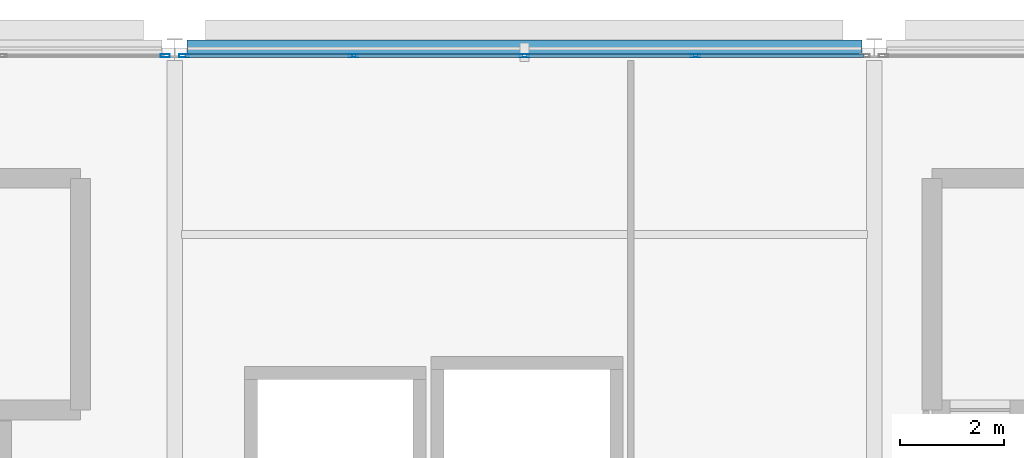
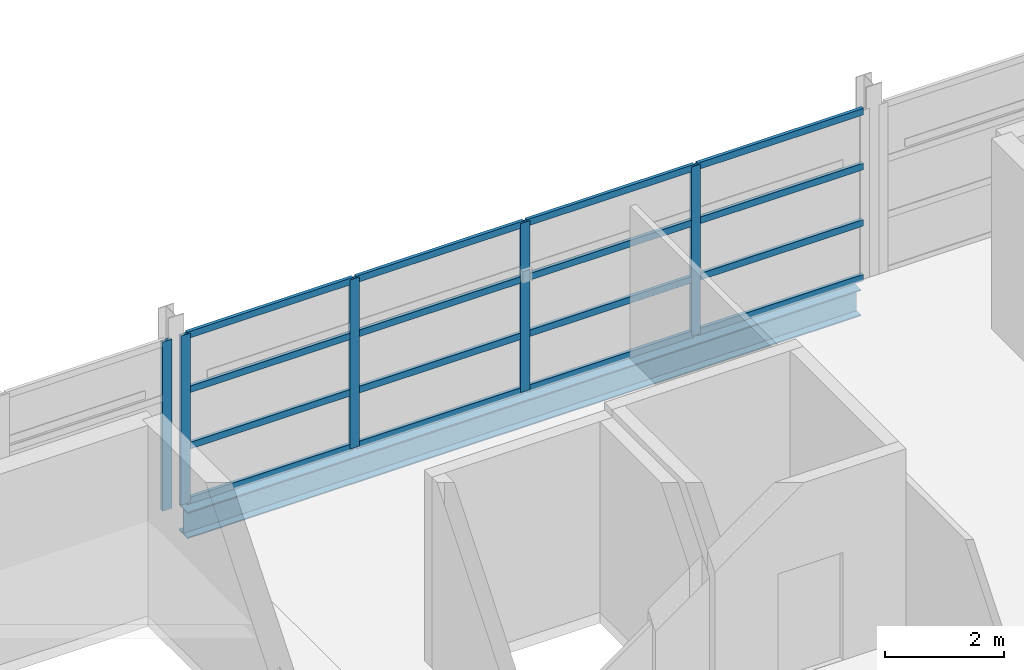
# One storey, part 22 of 33: 21 members, 1 beam, 2 elements without a shape of their own.
"""IFC4 building model written with IfcOpenShell, lengths in metres."""

from ifc_helpers import new_model, si_unit, direction, frame, origin, origin_2d, place, context, subcontext, project, spatial, hollow_rectangle, i_section, extrude, material, layer, layer_set, material_profile, profile_set, type_object, element, aggregate, save


model = new_model("IFC4")

# Units and contexts
model_context = context("Model", 3, precision=1e-05, world=origin(), true_north=direction((0.0, 1.0)))
body_context = subcontext(model_context, "Body", "Model", "MODEL_VIEW")
ifc_project = project(units=[si_unit("LENGTHUNIT", "METRE"), si_unit("AREAUNIT", "SQUARE_METRE"), si_unit("VOLUMEUNIT", "CUBIC_METRE"), si_unit("PLANEANGLEUNIT", "RADIAN"), si_unit("MASSUNIT", "GRAM", prefix="KILO")], contexts=[model_context])

# Site, building, storey
site_placement = place(None, origin())
site = spatial("IfcSite", under=ifc_project, at=site_placement, CompositionType="ELEMENT")
building_placement = place(site_placement, origin())
building = spatial("IfcBuilding", under=site, at=building_placement, Name="Tamarisk Ironworks Central Station", CompositionType="ELEMENT")
storey_placement = place(building_placement, frame((0.0, 0.0, 21.300048828125)))
storey = spatial("IfcBuildingStorey", under=building, at=storey_placement, Name="L04", CompositionType="ELEMENT", Elevation=21.300048828125)

# Beam
ifc_material_1 = material(Name="Structural steel S355J2", Category="steel")
ifc_material_profile_1 = material_profile(ifc_material_1, i_section(OverallWidth=0.300048828125, OverallDepth=0.5400390625, WebThickness=0.012451171875, FlangeThickness=0.02392578125, at=origin_2d()), Name="HEA 550")
ifc_profile_set_1 = profile_set([ifc_material_profile_1], Name="Structural steel S355J2")
beam_type = type_object("IfcBeamType", Name="BM-G04", PredefinedType="BEAM", material=ifc_profile_set_1)
beam_placement = place(storey_placement, frame((153.238037109375, 122.39990234375, -0.489990234375), z_axis=(1.0, 0.0, 0.0), x_axis=(0.0, 1.0, 0.0)))
element("IfcBeam", 1, at=beam_placement, inside=storey, type_object=beam_type, Name="L04 primary girder X-0728", PredefinedType="BEAM", context=body_context, shape_type="SweptSolid", body=[
    extrude(i_section(OverallWidth=0.300048828125, OverallDepth=0.5400390625, WebThickness=0.012451171875, FlangeThickness=0.02392578125, at=origin_2d()), origin(), (0.0, 0.0, 1.0), 13.02392578125),
])

# Curtain wall, member
ifc_material_2 = material(Name="Anodized aluminium alloy 6063-T6", Category="aluminium")
ifc_layer = layer(ifc_material_2, 0.179931640625)
ifc_layer_set = layer_set([ifc_layer], Name="Anodized aluminium alloy 6063-T6")
curtain_wall_type = type_object("IfcCurtainWallType", Name="CW-19", PredefinedType="USERDEFINED", material=ifc_layer_set)
curtain_wall_1_placement = place(storey_placement, origin())
curtain_wall_1 = element("IfcCurtainWall", 2, at=curtain_wall_1_placement, inside=storey, type_object=curtain_wall_type, Name="Operations L04 north facade curtain wall 140", ObjectType="GLAZED CURTAIN WALL", PredefinedType="USERDEFINED")
ifc_material_profile_2 = material_profile(ifc_material_2, hollow_rectangle(XDim=0.06494140625, YDim=0.179931640625, WallThickness=0.00390625, at=origin_2d()), Name="ALUM 180x65")
ifc_profile_set_2 = profile_set([ifc_material_profile_2], Name="Anodized aluminium alloy 6063-T6")
member_type_1 = type_object("IfcMemberType", Name="CWM-02", PredefinedType="MULLION", material=ifc_profile_set_2)
member_1_placement = place(storey_placement, frame((152.819580078125, 122.25, 0.0), z_axis=(0.0, 0.0, 1.0), x_axis=(0.0, 1.0, 0.0)))
member_1 = element("IfcMember", 3, at=member_1_placement, type_object=member_type_1, Name="CW19 mullion 5", PredefinedType="MULLION", context=body_context, shape_type="SweptSolid", body=[
    extrude(hollow_rectangle(XDim=0.06494140625, YDim=0.179931640625, WallThickness=0.00390625, at=origin_2d()), origin(), (0.0, 0.0, 1.0), 3.4599609375),
])
aggregate(curtain_wall_1, [member_1])

# Curtain wall, members
curtain_wall_2_placement = place(storey_placement, origin())
curtain_wall_2 = element("IfcCurtainWall", 4, at=curtain_wall_2_placement, inside=storey, type_object=curtain_wall_type, Name="Operations L04 north facade curtain wall 153", ObjectType="GLAZED CURTAIN WALL", PredefinedType="USERDEFINED")
member_2_placement = place(storey_placement, frame((153.180419921875, 122.25, 0.0), z_axis=(0.0, 0.0, 1.0), x_axis=(0.0, 1.0, 0.0)))
member_2 = element("IfcMember", 5, at=member_2_placement, type_object=member_type_1, Name="CW19 mullion 1", PredefinedType="MULLION", context=body_context, shape_type="SweptSolid", body=[
    extrude(hollow_rectangle(XDim=0.06494140625, YDim=0.179931640625, WallThickness=0.00390625, at=origin_2d()), origin(), (0.0, 0.0, 1.0), 3.4599609375),
])
member_3_placement = place(storey_placement, frame((156.448974609375, 122.25, 0.0), z_axis=(0.0, 0.0, 1.0), x_axis=(0.0, 1.0, 0.0)))
member_3 = element("IfcMember", 6, at=member_3_placement, type_object=member_type_1, Name="CW19 mullion 2", PredefinedType="MULLION", context=body_context, shape_type="SweptSolid", body=[
    extrude(hollow_rectangle(XDim=0.06494140625, YDim=0.179931640625, WallThickness=0.00390625, at=origin_2d()), origin(), (0.0, 0.0, 1.0), 3.4599609375),
])
member_4_placement = place(storey_placement, frame((159.75, 122.25, 0.0), z_axis=(0.0, 0.0, 1.0), x_axis=(0.0, 1.0, 0.0)))
member_4 = element("IfcMember", 7, at=member_4_placement, type_object=member_type_1, Name="CW19 mullion 3", PredefinedType="MULLION", context=body_context, shape_type="SweptSolid", body=[
    extrude(hollow_rectangle(XDim=0.06494140625, YDim=0.179931640625, WallThickness=0.00390625, at=origin_2d()), origin(), (0.0, 0.0, 1.0), 3.4599609375),
])
member_5_placement = place(storey_placement, frame((163.051025390625, 122.25, 0.0), z_axis=(0.0, 0.0, 1.0), x_axis=(0.0, 1.0, 0.0)))
member_5 = element("IfcMember", 8, at=member_5_placement, type_object=member_type_1, Name="CW19 mullion 4", PredefinedType="MULLION", context=body_context, shape_type="SweptSolid", body=[
    extrude(hollow_rectangle(XDim=0.06494140625, YDim=0.179931640625, WallThickness=0.00390625, at=origin_2d()), origin(), (0.0, 0.0, 1.0), 3.4599609375),
])
ifc_material_profile_3 = material_profile(ifc_material_2, hollow_rectangle(XDim=0.06494140625, YDim=0.135009765625, WallThickness=0.00341796875, at=origin_2d()), Name="ALUM 135x65")
ifc_profile_set_3 = profile_set([ifc_material_profile_3], Name="Anodized aluminium alloy 6063-T6")
member_type_2 = type_object("IfcMemberType", Name="CWT-02", PredefinedType="USERDEFINED", material=ifc_profile_set_3)
member_6_placement = place(storey_placement, frame((153.208984375, 122.25, 0.032470703125), z_axis=(1.0, 0.0, 0.0), x_axis=(0.0, 1.0, 0.0)))
member_6 = element("IfcMember", 9, at=member_6_placement, type_object=member_type_2, Name="CW19 transom 1.1", ObjectType="TRANSOM", PredefinedType="USERDEFINED", context=body_context, shape_type="SweptSolid", body=[
    extrude(hollow_rectangle(XDim=0.06494140625, YDim=0.135009765625, WallThickness=0.00341796875, at=origin_2d()), origin(), (0.0, 0.0, 1.0), 3.21142578125),
])
member_7_placement = place(storey_placement, frame((153.208984375, 122.25, 1.1533203125), z_axis=(1.0, 0.0, 0.0), x_axis=(0.0, 1.0, 0.0)))
member_7 = element("IfcMember", 10, at=member_7_placement, type_object=member_type_2, Name="CW19 transom 1.2", ObjectType="TRANSOM", PredefinedType="USERDEFINED", context=body_context, shape_type="SweptSolid", body=[
    extrude(hollow_rectangle(XDim=0.06494140625, YDim=0.135009765625, WallThickness=0.00341796875, at=origin_2d()), origin(), (0.0, 0.0, 1.0), 3.21142578125),
])
member_8_placement = place(storey_placement, frame((153.208984375, 122.25, 2.306640625), z_axis=(1.0, 0.0, 0.0), x_axis=(0.0, 1.0, 0.0)))
member_8 = element("IfcMember", 11, at=member_8_placement, type_object=member_type_2, Name="CW19 transom 1.3", ObjectType="TRANSOM", PredefinedType="USERDEFINED", context=body_context, shape_type="SweptSolid", body=[
    extrude(hollow_rectangle(XDim=0.06494140625, YDim=0.135009765625, WallThickness=0.00341796875, at=origin_2d()), origin(), (0.0, 0.0, 1.0), 3.21142578125),
])
member_9_placement = place(storey_placement, frame((153.208984375, 122.25, 3.427490234375), z_axis=(1.0, 0.0, 0.0), x_axis=(0.0, 1.0, 0.0)))
member_9 = element("IfcMember", 12, at=member_9_placement, type_object=member_type_2, Name="CW19 transom 1.4", ObjectType="TRANSOM", PredefinedType="USERDEFINED", context=body_context, shape_type="SweptSolid", body=[
    extrude(hollow_rectangle(XDim=0.06494140625, YDim=0.135009765625, WallThickness=0.00341796875, at=origin_2d()), origin(), (0.0, 0.0, 1.0), 3.21142578125),
])
member_10_placement = place(storey_placement, frame((156.4775390625, 122.25, 0.032470703125), z_axis=(1.0, 0.0, 0.0), x_axis=(0.0, 1.0, 0.0)))
member_10 = element("IfcMember", 13, at=member_10_placement, type_object=member_type_2, Name="CW19 transom 2.1", ObjectType="TRANSOM", PredefinedType="USERDEFINED", context=body_context, shape_type="SweptSolid", body=[
    extrude(hollow_rectangle(XDim=0.06494140625, YDim=0.135009765625, WallThickness=0.00341796875, at=origin_2d()), origin(), (0.0, 0.0, 1.0), 3.243896484375),
])
member_11_placement = place(storey_placement, frame((156.4775390625, 122.25, 1.1533203125), z_axis=(1.0, 0.0, 0.0), x_axis=(0.0, 1.0, 0.0)))
member_11 = element("IfcMember", 14, at=member_11_placement, type_object=member_type_2, Name="CW19 transom 2.2", ObjectType="TRANSOM", PredefinedType="USERDEFINED", context=body_context, shape_type="SweptSolid", body=[
    extrude(hollow_rectangle(XDim=0.06494140625, YDim=0.135009765625, WallThickness=0.00341796875, at=origin_2d()), origin(), (0.0, 0.0, 1.0), 3.243896484375),
])
member_12_placement = place(storey_placement, frame((156.4775390625, 122.25, 2.306640625), z_axis=(1.0, 0.0, 0.0), x_axis=(0.0, 1.0, 0.0)))
member_12 = element("IfcMember", 15, at=member_12_placement, type_object=member_type_2, Name="CW19 transom 2.3", ObjectType="TRANSOM", PredefinedType="USERDEFINED", context=body_context, shape_type="SweptSolid", body=[
    extrude(hollow_rectangle(XDim=0.06494140625, YDim=0.135009765625, WallThickness=0.00341796875, at=origin_2d()), origin(), (0.0, 0.0, 1.0), 3.243896484375),
])
member_13_placement = place(storey_placement, frame((156.4775390625, 122.25, 3.427490234375), z_axis=(1.0, 0.0, 0.0), x_axis=(0.0, 1.0, 0.0)))
member_13 = element("IfcMember", 16, at=member_13_placement, type_object=member_type_2, Name="CW19 transom 2.4", ObjectType="TRANSOM", PredefinedType="USERDEFINED", context=body_context, shape_type="SweptSolid", body=[
    extrude(hollow_rectangle(XDim=0.06494140625, YDim=0.135009765625, WallThickness=0.00341796875, at=origin_2d()), origin(), (0.0, 0.0, 1.0), 3.243896484375),
])
member_14_placement = place(storey_placement, frame((159.778564453125, 122.25, 0.032470703125), z_axis=(1.0, 0.0, 0.0), x_axis=(0.0, 1.0, 0.0)))
member_14 = element("IfcMember", 17, at=member_14_placement, type_object=member_type_2, Name="CW19 transom 3.1", ObjectType="TRANSOM", PredefinedType="USERDEFINED", context=body_context, shape_type="SweptSolid", body=[
    extrude(hollow_rectangle(XDim=0.06494140625, YDim=0.135009765625, WallThickness=0.00341796875, at=origin_2d()), origin(), (0.0, 0.0, 1.0), 3.243896484375),
])
member_15_placement = place(storey_placement, frame((159.778564453125, 122.25, 1.1533203125), z_axis=(1.0, 0.0, 0.0), x_axis=(0.0, 1.0, 0.0)))
member_15 = element("IfcMember", 18, at=member_15_placement, type_object=member_type_2, Name="CW19 transom 3.2", ObjectType="TRANSOM", PredefinedType="USERDEFINED", context=body_context, shape_type="SweptSolid", body=[
    extrude(hollow_rectangle(XDim=0.06494140625, YDim=0.135009765625, WallThickness=0.00341796875, at=origin_2d()), origin(), (0.0, 0.0, 1.0), 3.243896484375),
])
member_16_placement = place(storey_placement, frame((159.778564453125, 122.25, 2.306640625), z_axis=(1.0, 0.0, 0.0), x_axis=(0.0, 1.0, 0.0)))
member_16 = element("IfcMember", 19, at=member_16_placement, type_object=member_type_2, Name="CW19 transom 3.3", ObjectType="TRANSOM", PredefinedType="USERDEFINED", context=body_context, shape_type="SweptSolid", body=[
    extrude(hollow_rectangle(XDim=0.06494140625, YDim=0.135009765625, WallThickness=0.00341796875, at=origin_2d()), origin(), (0.0, 0.0, 1.0), 3.243896484375),
])
member_17_placement = place(storey_placement, frame((159.778564453125, 122.25, 3.427490234375), z_axis=(1.0, 0.0, 0.0), x_axis=(0.0, 1.0, 0.0)))
member_17 = element("IfcMember", 20, at=member_17_placement, type_object=member_type_2, Name="CW19 transom 3.4", ObjectType="TRANSOM", PredefinedType="USERDEFINED", context=body_context, shape_type="SweptSolid", body=[
    extrude(hollow_rectangle(XDim=0.06494140625, YDim=0.135009765625, WallThickness=0.00341796875, at=origin_2d()), origin(), (0.0, 0.0, 1.0), 3.243896484375),
])
member_18_placement = place(storey_placement, frame((163.07958984375, 122.25, 0.032470703125), z_axis=(1.0, 0.0, 0.0), x_axis=(0.0, 1.0, 0.0)))
member_18 = element("IfcMember", 21, at=member_18_placement, type_object=member_type_2, Name="CW19 transom 4.1", ObjectType="TRANSOM", PredefinedType="USERDEFINED", context=body_context, shape_type="SweptSolid", body=[
    extrude(hollow_rectangle(XDim=0.06494140625, YDim=0.135009765625, WallThickness=0.00341796875, at=origin_2d()), origin(), (0.0, 0.0, 1.0), 3.21142578125),
])
member_19_placement = place(storey_placement, frame((163.07958984375, 122.25, 1.1533203125), z_axis=(1.0, 0.0, 0.0), x_axis=(0.0, 1.0, 0.0)))
member_19 = element("IfcMember", 22, at=member_19_placement, type_object=member_type_2, Name="CW19 transom 4.2", ObjectType="TRANSOM", PredefinedType="USERDEFINED", context=body_context, shape_type="SweptSolid", body=[
    extrude(hollow_rectangle(XDim=0.06494140625, YDim=0.135009765625, WallThickness=0.00341796875, at=origin_2d()), origin(), (0.0, 0.0, 1.0), 3.21142578125),
])
member_20_placement = place(storey_placement, frame((163.07958984375, 122.25, 2.306640625), z_axis=(1.0, 0.0, 0.0), x_axis=(0.0, 1.0, 0.0)))
member_20 = element("IfcMember", 23, at=member_20_placement, type_object=member_type_2, Name="CW19 transom 4.3", ObjectType="TRANSOM", PredefinedType="USERDEFINED", context=body_context, shape_type="SweptSolid", body=[
    extrude(hollow_rectangle(XDim=0.06494140625, YDim=0.135009765625, WallThickness=0.00341796875, at=origin_2d()), origin(), (0.0, 0.0, 1.0), 3.21142578125),
])
member_21_placement = place(storey_placement, frame((163.07958984375, 122.25, 3.427490234375), z_axis=(1.0, 0.0, 0.0), x_axis=(0.0, 1.0, 0.0)))
member_21 = element("IfcMember", 24, at=member_21_placement, type_object=member_type_2, Name="CW19 transom 4.4", ObjectType="TRANSOM", PredefinedType="USERDEFINED", context=body_context, shape_type="SweptSolid", body=[
    extrude(hollow_rectangle(XDim=0.06494140625, YDim=0.135009765625, WallThickness=0.00341796875, at=origin_2d()), origin(), (0.0, 0.0, 1.0), 3.21142578125),
])
aggregate(curtain_wall_2, [member_2, member_3, member_4, member_5, member_6, member_7, member_8, member_9, member_10, member_11, member_12, member_13, member_14, member_15, member_16, member_17, member_18, member_19, member_20, member_21])

save(model, "model.ifc")
